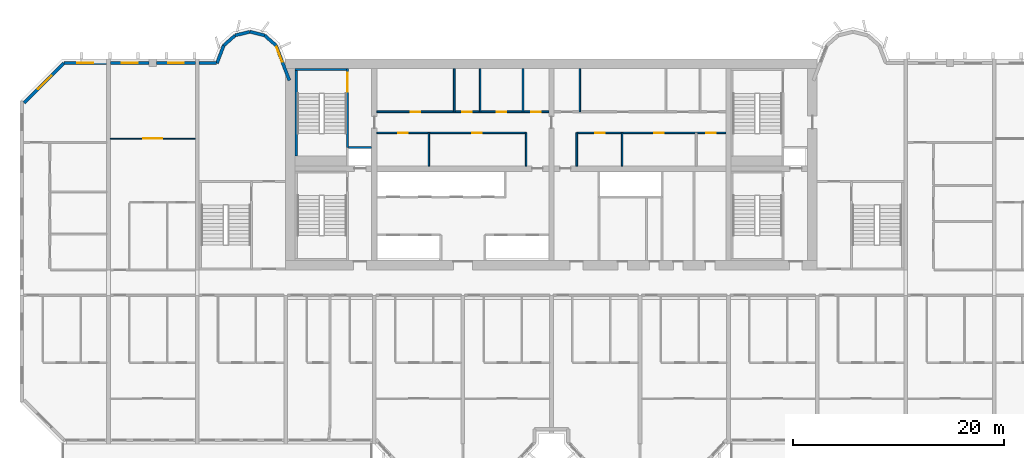
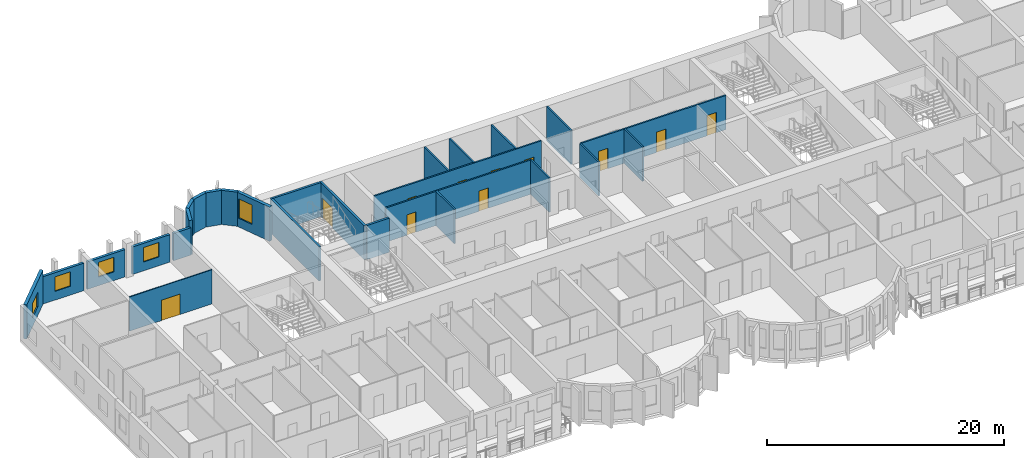
# One storey, part 7 of 15: 27 walls, 11 doors, 5 windows, 16 openings.
"""IFC4 building model written with IfcOpenShell, lengths in metres."""

from ifc_helpers import new_model, si_unit, direction, frame, frame_2d, origin, place, context, subcontext, project, spatial, rectangle, extrude, source, transform, mapped, material, layer, layer_set, type_object, element, fill, save


model = new_model("IFC4")

# Units and contexts
model_context = context("Model", 3, precision=1e-05, world=origin(), true_north=direction((0.0, 1.0)))
body_context = subcontext(model_context, "Body", "Model", "MODEL_VIEW")
ifc_project = project(units=[si_unit("LENGTHUNIT", "METRE"), si_unit("AREAUNIT", "SQUARE_METRE"), si_unit("VOLUMEUNIT", "CUBIC_METRE"), si_unit("PLANEANGLEUNIT", "RADIAN"), si_unit("MASSUNIT", "GRAM", prefix="KILO")], contexts=[model_context])

# Site, building, storey
site_placement = place(None, origin())
site = spatial("IfcSite", under=ifc_project, at=site_placement, CompositionType="ELEMENT")
building_placement = place(site_placement, origin())
building = spatial("IfcBuilding", under=site, at=building_placement, Name="Vanashikhar Sky Hotel", CompositionType="ELEMENT")
storey_placement = place(building_placement, frame((0.0, 0.0, 133.199951171875)))
storey = spatial("IfcBuildingStorey", under=building, at=storey_placement, Name="L32", CompositionType="ELEMENT", Elevation=133.199951171875)

# Wall, opening, window
ifc_material_1 = material(Name="Concrete M50", Category="concrete")
ifc_layer_1 = layer(ifc_material_1, 0.300048828125)
ifc_layer_set_1 = layer_set([ifc_layer_1], Name="Lobe wall 300")
wall_type_1 = type_object("IfcWallType", Name="Lobe wall 300", PredefinedType="SOLIDWALL", material=ifc_layer_set_1)
shared_shape_1 = source(origin(), body_context, "Body", "SweptSolid", [
    extrude(rectangle(XDim=5.32568359375, YDim=0.300048828125, at=frame_2d((2.662841796875, 0.0))), origin(), (0.0, 0.0, 1.0), 3.52001953125),
])
wall_1_placement = place(storey_placement, frame((4.165771484375, 41.60009765625, 0.0), z_axis=(0.0, 0.0, 1.0), x_axis=(-0.707106781187, -0.707106781187, 0.0)))
wall_1 = element("IfcWall", 1, at=wall_1_placement, inside=storey, type_object=wall_type_1, Name="Corner wall", PredefinedType="SOLIDWALL", context=body_context, shape_type="MappedRepresentation", body=[
    mapped(shared_shape_1, transform((0.0, 0.0, 0.0), scale=1.0)),
])
shared_shape_2 = source(origin(), body_context, "Body", "SweptSolid", [
    extrude(rectangle(XDim=1.800048828125, YDim=1.5, at=frame_2d((0.89990234375, 0.75))), frame((0.0, 0.16015625, 0.0), z_axis=(0.0, -1.0, 0.0), x_axis=(1.0, 0.0, 0.0)), (0.0, 0.0, 1.0), 0.320068359375),
])
opening_1_placement = place(wall_1_placement, frame((1.671875, 0.0, 0.89990234375)))
opening_1 = element("IfcOpeningElement", 2, at=opening_1_placement, cuts=wall_1, Name="Opening WN-4", PredefinedType="OPENING", context=body_context, shape_type="MappedRepresentation", body=[
    mapped(shared_shape_2, transform((0.0, 0.0, 0.0), scale=1.0)),
])
ifc_material_2 = material(Name="Glass", Category="glass")
window_type_1 = type_object("IfcWindowType", Name="Corner window 1800 x 1500", PartitioningType="SINGLE_PANEL", PredefinedType="WINDOW", material=ifc_material_2)
shared_shape_3 = source(origin(), body_context, "Body", "SweptSolid", [
    extrude(rectangle(XDim=1.800048828125, YDim=1.5, at=frame_2d((0.89990234375, 0.75))), frame((0.0, 0.030029296875, 0.0), z_axis=(0.0, -1.0, 0.0), x_axis=(1.0, 0.0, 0.0)), (0.0, 0.0, 1.0), 0.06005859375),
])
window_1_placement = place(opening_1_placement, origin())
window_1 = element("IfcWindow", 3, at=window_1_placement, inside=storey, type_object=window_type_1, Name="Window WN-4", OverallHeight=1.5, OverallWidth=1.800048828125, PartitioningType="SINGLE_PANEL", PredefinedType="WINDOW", context=body_context, shape_type="MappedRepresentation", body=[
    mapped(shared_shape_3, transform((0.0, 0.0, 0.0), scale=1.0)),
])
fill(opening_1, window_1)

shared_shape_4 = source(origin(), body_context, "Body", "SweptSolid", [
    extrude(rectangle(XDim=3.55908203125, YDim=0.300048828125, at=frame_2d((1.779541015625, 0.0))), origin(), (0.0, 0.0, 1.0), 3.52001953125),
])
wall_2_placement = place(storey_placement, frame((25.550048828125, 39.968505859375, 0.0), z_axis=(0.0, 0.0, 1.0), x_axis=(-0.35779745313, 0.933799219604, 0.0)))
wall_2 = element("IfcWall", 4, at=wall_2_placement, inside=storey, type_object=wall_type_1, Name="Lobe wall", PredefinedType="SOLIDWALL", context=body_context, shape_type="MappedRepresentation", body=[
    mapped(shared_shape_4, transform((0.0, 0.0, 0.0), scale=1.0)),
])
shared_shape_5 = source(origin(), body_context, "Body", "SweptSolid", [
    extrude(rectangle(XDim=1.5, YDim=2.0, at=frame_2d((0.75, 1.0))), frame((0.0, 0.16015625, 0.0), z_axis=(0.0, -1.0, 0.0), x_axis=(1.0, 0.0, 0.0)), (0.0, 0.0, 1.0), 0.320068359375),
])
opening_2_placement = place(wall_2_placement, frame((1.9033203125, 0.0, 0.89990234375)))
opening_2 = element("IfcOpeningElement", 5, at=opening_2_placement, cuts=wall_2, Name="Opening WN-2", PredefinedType="OPENING", context=body_context, shape_type="MappedRepresentation", body=[
    mapped(shared_shape_5, transform((0.0, 0.0, 0.0), scale=1.0)),
])
window_type_2 = type_object("IfcWindowType", Name="Lobe window 1500 x 2000", PartitioningType="SINGLE_PANEL", PredefinedType="WINDOW", material=ifc_material_2)
shared_shape_6 = source(origin(), body_context, "Body", "SweptSolid", [
    extrude(rectangle(XDim=1.5, YDim=2.0, at=frame_2d((0.75, 1.0))), frame((0.0, 0.030029296875, 0.0), z_axis=(0.0, -1.0, 0.0), x_axis=(1.0, 0.0, 0.0)), (0.0, 0.0, 1.0), 0.06005859375),
])
window_2_placement = place(opening_2_placement, origin())
window_2 = element("IfcWindow", 6, at=window_2_placement, inside=storey, type_object=window_type_2, Name="Window WN-2", OverallHeight=2.0, OverallWidth=1.5, PartitioningType="SINGLE_PANEL", PredefinedType="WINDOW", context=body_context, shape_type="MappedRepresentation", body=[
    mapped(shared_shape_6, transform((0.0, 0.0, 0.0), scale=1.0)),
])
fill(opening_2, window_2)

# Walls
shared_shape_7 = source(origin(), body_context, "Body", "SweptSolid", [
    extrude(rectangle(XDim=1.440185546875, YDim=0.300048828125, at=frame_2d((0.72021484375, 0.0))), origin(), (0.0, 0.0, 1.0), 3.52001953125),
])
wall_3_placement = place(storey_placement, frame((24.276611328125, 43.2919921875, 0.0), z_axis=(0.0, 0.0, 1.0), x_axis=(-0.749649827867, 0.661834673902, 0.0)))
element("IfcWall", 7, at=wall_3_placement, inside=storey, type_object=wall_type_1, Name="Lobe wall", PredefinedType="SOLIDWALL", context=body_context, shape_type="MappedRepresentation", body=[
    mapped(shared_shape_7, transform((0.0, 0.0, 0.0), scale=1.0)),
])
shared_shape_8 = source(origin(), body_context, "Body", "SweptSolid", [
    extrude(rectangle(XDim=1.4384765625, YDim=0.300048828125, at=frame_2d((0.71923828125, 0.0))), origin(), (0.0, 0.0, 1.0), 3.52001953125),
])
wall_4_placement = place(storey_placement, frame((23.197021484375, 44.2451171875, 0.0), z_axis=(0.0, 0.0, 1.0), x_axis=(-0.971152283879, 0.238460146601, 0.0)))
element("IfcWall", 8, at=wall_4_placement, inside=storey, type_object=wall_type_1, Name="Lobe wall", PredefinedType="SOLIDWALL", context=body_context, shape_type="MappedRepresentation", body=[
    mapped(shared_shape_8, transform((0.0, 0.0, 0.0), scale=1.0)),
])
shared_shape_9 = source(origin(), body_context, "Body", "SweptSolid", [
    extrude(rectangle(XDim=1.438720703125, YDim=0.300048828125, at=frame_2d((0.71923828125, 0.0))), origin(), (0.0, 0.0, 1.0), 3.52001953125),
])
wall_5_placement = place(storey_placement, frame((21.800048828125, 44.588134765625, 0.0), z_axis=(0.0, 0.0, 1.0), x_axis=(-0.971161932466, -0.238420848351, 0.0)))
element("IfcWall", 9, at=wall_5_placement, inside=storey, type_object=wall_type_1, Name="Lobe wall", PredefinedType="SOLIDWALL", context=body_context, shape_type="MappedRepresentation", body=[
    mapped(shared_shape_9, transform((0.0, 0.0, 0.0), scale=1.0)),
])
shared_shape_10 = source(origin(), body_context, "Body", "SweptSolid", [
    extrude(rectangle(XDim=1.43994140625, YDim=0.300048828125, at=frame_2d((0.719970703125, 0.0))), origin(), (0.0, 0.0, 1.0), 3.52001953125),
])
wall_6_placement = place(storey_placement, frame((20.40283203125, 44.2451171875, 0.0), z_axis=(0.0, 0.0, 1.0), x_axis=(-0.74957555648, -0.661918790432, 0.0)))
element("IfcWall", 10, at=wall_6_placement, inside=storey, type_object=wall_type_1, Name="Lobe wall", PredefinedType="SOLIDWALL", context=body_context, shape_type="MappedRepresentation", body=[
    mapped(shared_shape_10, transform((0.0, 0.0, 0.0), scale=1.0)),
])
shared_shape_11 = source(origin(), body_context, "Body", "SweptSolid", [
    extrude(rectangle(XDim=1.81201171875, YDim=0.300048828125, at=frame_2d((0.906005859375, 0.0))), origin(), (0.0, 0.0, 1.0), 3.52001953125),
])
wall_7_placement = place(storey_placement, frame((19.323486328125, 43.2919921875, 0.0), z_axis=(0.0, 0.0, 1.0), x_axis=(-0.357877270961, -0.93376863244, 0.0)))
element("IfcWall", 11, at=wall_7_placement, inside=storey, type_object=wall_type_1, Name="Lobe wall", PredefinedType="SOLIDWALL", context=body_context, shape_type="MappedRepresentation", body=[
    mapped(shared_shape_11, transform((0.0, 0.0, 0.0), scale=1.0)),
])

# Wall, opening, window
ifc_layer_2 = layer(ifc_material_1, 0.25)
ifc_layer_set_2 = layer_set([ifc_layer_2], Name="Rear and end board-marked wall 250")
wall_type_2 = type_object("IfcWallType", Name="Rear and end board-marked wall 250", PredefinedType="SOLIDWALL", material=ifc_layer_set_2)
shared_shape_12 = source(origin(), body_context, "Body", "SweptSolid", [
    extrude(rectangle(XDim=4.06982421875, YDim=0.25, at=frame_2d((2.034912109375, 0.0))), origin(), (0.0, 0.0, 1.0), 2.820068359375),
])
wall_8_placement = place(storey_placement, frame((8.22509765625, 41.625, 0.0), z_axis=(0.0, 0.0, 1.0), x_axis=(-1.0, 0.0, 0.0)))
wall_8 = element("IfcWall", 12, at=wall_8_placement, inside=storey, type_object=wall_type_2, Name="Rear board-marked wall", PredefinedType="SOLIDWALL", context=body_context, shape_type="MappedRepresentation", body=[
    mapped(shared_shape_12, transform((0.0, 0.0, 0.0), scale=1.0)),
])
shared_shape_13 = source(origin(), body_context, "Body", "SweptSolid", [
    extrude(rectangle(XDim=1.5, YDim=1.5, at=frame_2d((0.75, 0.75))), frame((0.0, 0.135009765625, 0.0), z_axis=(0.0, -1.0, 0.0), x_axis=(1.0, 0.0, 0.0)), (0.0, 0.0, 1.0), 0.27001953125),
])
opening_3_placement = place(wall_8_placement, frame((1.284912109375, 0.0, 0.89990234375)))
opening_3 = element("IfcOpeningElement", 13, at=opening_3_placement, cuts=wall_8, Name="Opening WN-1", PredefinedType="OPENING", context=body_context, shape_type="MappedRepresentation", body=[
    mapped(shared_shape_13, transform((0.0, 0.0, 0.0), scale=1.0)),
])
window_type_3 = type_object("IfcWindowType", Name="Window 1500 x 1500", PartitioningType="SINGLE_PANEL", PredefinedType="WINDOW", material=ifc_material_2)
shared_shape_14 = source(origin(), body_context, "Body", "SweptSolid", [
    extrude(rectangle(XDim=1.5, YDim=1.5, at=frame_2d((0.75, 0.75))), frame((0.0, 0.030029296875, 0.0), z_axis=(0.0, -1.0, 0.0), x_axis=(1.0, 0.0, 0.0)), (0.0, 0.0, 1.0), 0.06005859375),
])
window_3_placement = place(opening_3_placement, origin())
window_3 = element("IfcWindow", 14, at=window_3_placement, inside=storey, type_object=window_type_3, Name="Window WN-1", OverallHeight=1.5, OverallWidth=1.5, PartitioningType="SINGLE_PANEL", PredefinedType="WINDOW", context=body_context, shape_type="MappedRepresentation", body=[
    mapped(shared_shape_14, transform((0.0, 0.0, 0.0), scale=1.0)),
])
fill(opening_3, window_3)

shared_shape_15 = source(origin(), body_context, "Body", "SweptSolid", [
    extrude(rectangle(XDim=3.675048828125, YDim=0.25, at=frame_2d((1.83740234375, 0.0))), origin(), (0.0, 0.0, 1.0), 2.820068359375),
])
wall_9_placement = place(storey_placement, frame((12.25, 41.625, 0.0), z_axis=(0.0, 0.0, 1.0), x_axis=(-1.0, 0.0, 0.0)))
wall_9 = element("IfcWall", 15, at=wall_9_placement, inside=storey, type_object=wall_type_2, Name="Rear board-marked wall", PredefinedType="SOLIDWALL", context=body_context, shape_type="MappedRepresentation", body=[
    mapped(shared_shape_15, transform((0.0, 0.0, 0.0), scale=1.0)),
])
opening_4_placement = place(wall_9_placement, frame((1.08740234375, 0.0, 0.89990234375)))
opening_4 = element("IfcOpeningElement", 16, at=opening_4_placement, cuts=wall_9, Name="Opening WN-1", PredefinedType="OPENING", context=body_context, shape_type="MappedRepresentation", body=[
    mapped(shared_shape_13, transform((0.0, 0.0, 0.0), scale=1.0)),
])
window_4_placement = place(opening_4_placement, origin())
window_4 = element("IfcWindow", 17, at=window_4_placement, inside=storey, type_object=window_type_3, Name="Window WN-1", OverallHeight=1.5, OverallWidth=1.5, PartitioningType="SINGLE_PANEL", PredefinedType="WINDOW", context=body_context, shape_type="MappedRepresentation", body=[
    mapped(shared_shape_14, transform((0.0, 0.0, 0.0), scale=1.0)),
])
fill(opening_4, window_4)

wall_10_placement = place(storey_placement, frame((16.625, 41.625, 0.0), z_axis=(0.0, 0.0, 1.0), x_axis=(-1.0, 0.0, 0.0)))
wall_10 = element("IfcWall", 18, at=wall_10_placement, inside=storey, type_object=wall_type_2, Name="Rear board-marked wall", PredefinedType="SOLIDWALL", context=body_context, shape_type="MappedRepresentation", body=[
    mapped(shared_shape_15, transform((0.0, 0.0, 0.0), scale=1.0)),
])
opening_5_placement = place(wall_10_placement, frame((1.08740234375, 0.0, 0.89990234375)))
opening_5 = element("IfcOpeningElement", 19, at=opening_5_placement, cuts=wall_10, Name="Opening WN-1", PredefinedType="OPENING", context=body_context, shape_type="MappedRepresentation", body=[
    mapped(shared_shape_13, transform((0.0, 0.0, 0.0), scale=1.0)),
])
window_5_placement = place(opening_5_placement, origin())
window_5 = element("IfcWindow", 20, at=window_5_placement, inside=storey, type_object=window_type_3, Name="Window WN-1", OverallHeight=1.5, OverallWidth=1.5, PartitioningType="SINGLE_PANEL", PredefinedType="WINDOW", context=body_context, shape_type="MappedRepresentation", body=[
    mapped(shared_shape_14, transform((0.0, 0.0, 0.0), scale=1.0)),
])
fill(opening_5, window_5)

# Walls
shared_shape_16 = source(origin(), body_context, "Body", "SweptSolid", [
    extrude(rectangle(XDim=1.682861328125, YDim=0.25, at=frame_2d((0.84130859375, 0.0))), origin(), (0.0, 0.0, 1.0), 2.820068359375),
])
wall_11_placement = place(storey_placement, frame((18.657958984375, 41.625, 0.0), z_axis=(0.0, 0.0, 1.0), x_axis=(-1.0, 0.0, 0.0)))
element("IfcWall", 21, at=wall_11_placement, inside=storey, type_object=wall_type_2, Name="Rear board-marked wall", PredefinedType="SOLIDWALL", context=body_context, shape_type="MappedRepresentation", body=[
    mapped(shared_shape_16, transform((0.0, 0.0, 0.0), scale=1.0)),
])
ifc_material_3 = material(Name="Gypsum board partition")
ifc_layer_3 = layer(ifc_material_3, 0.14990234375)
ifc_layer_set_3 = layer_set([ifc_layer_3], Name="Service partition 150")
wall_type_3 = type_object("IfcWallType", Name="Service partition 150", PredefinedType="PARTITIONING", material=ifc_layer_set_3)
shared_shape_17 = source(origin(), body_context, "Body", "SweptSolid", [
    extrude(rectangle(XDim=3.14990234375, YDim=0.14990234375, at=frame_2d((1.574951171875, 0.0))), origin(), (0.0, 0.0, 1.0), 3.52001953125),
])
for number, where, z_axis, x_axis, name in (
    (22, (48.0, 31.85009765625, 0.0), (0.0, 0.0, 1.0), (0.0, 1.0, 0.0), "Service partition 150"),
    (23, (38.77587890625, 31.85009765625, 0.0), (0.0, 0.0, 1.0), (0.0, 1.0, 0.0), "Service partition 150"),
    (24, (52.800048828125, 31.85009765625, 0.0), (0.0, 0.0, 1.0), (0.0, 1.0, 0.0), "Service partition 150"),
    (25, (57.096923828125, 31.85009765625, 0.0), (0.0, 0.0, 1.0), (0.0, 1.0, 0.0), "Service partition 150"),
):
    element("IfcWall", number, at=place(storey_placement, frame(where, z_axis=z_axis, x_axis=x_axis)), inside=storey, type_object=wall_type_3, Name=name, PredefinedType="PARTITIONING", context=body_context, shape_type="MappedRepresentation", body=[
        mapped(shared_shape_17, transform((0.0, 0.0, 0.0), scale=1.0)),
    ])

# Wall, openings, doors
shared_shape_18 = source(origin(), body_context, "Body", "SweptSolid", [
    extrude(rectangle(XDim=14.14990234375, YDim=0.14990234375, at=frame_2d((7.074951171875, 0.0))), origin(), (0.0, 0.0, 1.0), 3.52001953125),
])
wall_12_placement = place(storey_placement, frame((33.85009765625, 35.0, 0.0), z_axis=(0.0, 0.0, 1.0), x_axis=(1.0, 0.0, 0.0)))
wall_12 = element("IfcWall", 26, at=wall_12_placement, inside=storey, type_object=wall_type_3, Name="Service partition 150", PredefinedType="PARTITIONING", context=body_context, shape_type="MappedRepresentation", body=[
    mapped(shared_shape_18, transform((0.0, 0.0, 0.0), scale=1.0)),
])
shared_shape_19 = source(origin(), body_context, "Body", "SweptSolid", [
    extrude(rectangle(XDim=0.89990234375, YDim=2.10009765625, at=frame_2d((0.449951171875, 1.050048828125))), frame((0.0, 0.0849609375, 0.0), z_axis=(0.0, -1.0, 0.0), x_axis=(1.0, 0.0, 0.0)), (0.0, 0.0, 1.0), 0.169921875),
])
opening_6_placement = place(wall_12_placement, frame((2.012939453125, 0.0, 0.0)))
opening_6 = element("IfcOpeningElement", 27, at=opening_6_placement, cuts=wall_12, Name="Opening DC-4-A", PredefinedType="OPENING", context=body_context, shape_type="MappedRepresentation", body=[
    mapped(shared_shape_19, transform((0.0, 0.0, 0.0), scale=1.0)),
])
opening_7_placement = place(wall_12_placement, frame((9.051025390625, 0.0, 0.0)))
opening_7 = element("IfcOpeningElement", 28, at=opening_7_placement, cuts=wall_12, Name="Opening DC-4-A", PredefinedType="OPENING", context=body_context, shape_type="MappedRepresentation", body=[
    mapped(shared_shape_19, transform((0.0, 0.0, 0.0), scale=1.0)),
])
ifc_material_4 = material(Name="Steel", Category="steel")
door_type_1 = type_object("IfcDoorType", Name="Service door 900 FD60", OperationType="NOTDEFINED", PredefinedType="DOOR", material=ifc_material_4)
shared_shape_20 = source(origin(), body_context, "Body", "SweptSolid", [
    extrude(rectangle(XDim=0.89990234375, YDim=2.10009765625, at=frame_2d((0.449951171875, 1.050048828125))), frame((0.0, 0.02490234375, 0.0), z_axis=(0.0, -1.0, 0.0), x_axis=(1.0, 0.0, 0.0)), (0.0, 0.0, 1.0), 0.050048828125),
])
door_1_placement = place(opening_6_placement, origin())
door_1 = element("IfcDoor", 29, at=door_1_placement, inside=storey, type_object=door_type_1, Name="Service door 900 FD60", OperationType="SINGLE_SWING_RIGHT", OverallHeight=2.10009765625, OverallWidth=0.89990234375, PredefinedType="DOOR", context=body_context, shape_type="MappedRepresentation", body=[
    mapped(shared_shape_20, transform((0.0, 0.0, 0.0), scale=1.0)),
])
fill(opening_6, door_1)
door_2_placement = place(opening_7_placement, origin())
door_2 = element("IfcDoor", 30, at=door_2_placement, inside=storey, type_object=door_type_1, Name="Service door 900 FD60", OperationType="SINGLE_SWING_RIGHT", OverallHeight=2.10009765625, OverallWidth=0.89990234375, PredefinedType="DOOR", context=body_context, shape_type="MappedRepresentation", body=[
    mapped(shared_shape_20, transform((0.0, 0.0, 0.0), scale=1.0)),
])
fill(opening_7, door_2)

wall_13_placement = place(storey_placement, frame((66.949951171875, 35.0, 0.0), z_axis=(0.0, 0.0, 1.0), x_axis=(-1.0, 0.0, 0.0)))
wall_13 = element("IfcWall", 31, at=wall_13_placement, inside=storey, type_object=wall_type_3, Name="Service partition 150", PredefinedType="PARTITIONING", context=body_context, shape_type="MappedRepresentation", body=[
    mapped(shared_shape_18, transform((0.0, 0.0, 0.0), scale=1.0)),
])
opening_8_placement = place(wall_13_placement, frame((0.9580078125, 0.0, 0.0)))
opening_8 = element("IfcOpeningElement", 32, at=opening_8_placement, cuts=wall_13, Name="Opening DC-4-A", PredefinedType="OPENING", context=body_context, shape_type="MappedRepresentation", body=[
    mapped(shared_shape_19, transform((0.0, 0.0, 0.0), scale=1.0)),
])
opening_9_placement = place(wall_13_placement, frame((5.884033203125, 0.0, 0.0)))
opening_9 = element("IfcOpeningElement", 33, at=opening_9_placement, cuts=wall_13, Name="Opening DC-4-A", PredefinedType="OPENING", context=body_context, shape_type="MappedRepresentation", body=[
    mapped(shared_shape_19, transform((0.0, 0.0, 0.0), scale=1.0)),
])
opening_10_placement = place(wall_13_placement, frame((11.513916015625, 0.0, 0.0)))
opening_10 = element("IfcOpeningElement", 34, at=opening_10_placement, cuts=wall_13, Name="Opening DC-4-A", PredefinedType="OPENING", context=body_context, shape_type="MappedRepresentation", body=[
    mapped(shared_shape_19, transform((0.0, 0.0, 0.0), scale=1.0)),
])
door_3_placement = place(opening_8_placement, origin())
door_3 = element("IfcDoor", 35, at=door_3_placement, inside=storey, type_object=door_type_1, Name="Service door 900 FD60", OperationType="SINGLE_SWING_RIGHT", OverallHeight=2.10009765625, OverallWidth=0.89990234375, PredefinedType="DOOR", context=body_context, shape_type="MappedRepresentation", body=[
    mapped(shared_shape_20, transform((0.0, 0.0, 0.0), scale=1.0)),
])
fill(opening_8, door_3)
door_4_placement = place(opening_9_placement, origin())
door_4 = element("IfcDoor", 36, at=door_4_placement, inside=storey, type_object=door_type_1, Name="Service door 900 FD60", OperationType="SINGLE_SWING_RIGHT", OverallHeight=2.10009765625, OverallWidth=0.89990234375, PredefinedType="DOOR", context=body_context, shape_type="MappedRepresentation", body=[
    mapped(shared_shape_20, transform((0.0, 0.0, 0.0), scale=1.0)),
])
fill(opening_9, door_4)
door_5_placement = place(opening_10_placement, origin())
door_5 = element("IfcDoor", 37, at=door_5_placement, inside=storey, type_object=door_type_1, Name="Service door 900 FD60", OperationType="SINGLE_SWING_LEFT", OverallHeight=2.10009765625, OverallWidth=0.89990234375, PredefinedType="DOOR", context=body_context, shape_type="MappedRepresentation", body=[
    mapped(shared_shape_20, transform((0.0, 0.0, 0.0), scale=1.0)),
])
fill(opening_10, door_5)

shared_shape_21 = source(origin(), body_context, "Body", "SweptSolid", [
    extrude(rectangle(XDim=16.2998046875, YDim=0.14990234375, at=frame_2d((8.14990234375, 0.0))), origin(), (0.0, 0.0, 1.0), 3.52001953125),
])
wall_14_placement = place(storey_placement, frame((33.85009765625, 37.0, 0.0), z_axis=(0.0, 0.0, 1.0), x_axis=(1.0, 0.0, 0.0)))
wall_14 = element("IfcWall", 38, at=wall_14_placement, inside=storey, type_object=wall_type_3, Name="Service partition 150", PredefinedType="PARTITIONING", context=body_context, shape_type="MappedRepresentation", body=[
    mapped(shared_shape_21, transform((0.0, 0.0, 0.0), scale=1.0)),
])
opening_11_placement = place(wall_14_placement, frame((3.217041015625, 0.0, 0.0)))
opening_11 = element("IfcOpeningElement", 39, at=opening_11_placement, cuts=wall_14, Name="Opening DC-4-A", PredefinedType="OPENING", context=body_context, shape_type="MappedRepresentation", body=[
    mapped(shared_shape_19, transform((0.0, 0.0, 0.0), scale=1.0)),
])
opening_12_placement = place(wall_14_placement, frame((8.10693359375, 0.0, 0.0)))
opening_12 = element("IfcOpeningElement", 40, at=opening_12_placement, cuts=wall_14, Name="Opening DC-4-A", PredefinedType="OPENING", context=body_context, shape_type="MappedRepresentation", body=[
    mapped(shared_shape_19, transform((0.0, 0.0, 0.0), scale=1.0)),
])
opening_13_placement = place(wall_14_placement, frame((11.367919921875, 0.0, 0.0)))
opening_13 = element("IfcOpeningElement", 41, at=opening_13_placement, cuts=wall_14, Name="Opening DC-4-A", PredefinedType="OPENING", context=body_context, shape_type="MappedRepresentation", body=[
    mapped(shared_shape_19, transform((0.0, 0.0, 0.0), scale=1.0)),
])
opening_14_placement = place(wall_14_placement, frame((14.626953125, 0.0, 0.0)))
opening_14 = element("IfcOpeningElement", 42, at=opening_14_placement, cuts=wall_14, Name="Opening DC-4-A", PredefinedType="OPENING", context=body_context, shape_type="MappedRepresentation", body=[
    mapped(shared_shape_19, transform((0.0, 0.0, 0.0), scale=1.0)),
])
door_6_placement = place(opening_11_placement, origin())
door_6 = element("IfcDoor", 43, at=door_6_placement, inside=storey, type_object=door_type_1, Name="Service door 900 FD60", OperationType="SINGLE_SWING_RIGHT", OverallHeight=2.10009765625, OverallWidth=0.89990234375, PredefinedType="DOOR", context=body_context, shape_type="MappedRepresentation", body=[
    mapped(shared_shape_20, transform((0.0, 0.0, 0.0), scale=1.0)),
])
fill(opening_11, door_6)
door_7_placement = place(opening_12_placement, origin())
door_7 = element("IfcDoor", 44, at=door_7_placement, inside=storey, type_object=door_type_1, Name="Service door 900 FD60", OperationType="SINGLE_SWING_RIGHT", OverallHeight=2.10009765625, OverallWidth=0.89990234375, PredefinedType="DOOR", context=body_context, shape_type="MappedRepresentation", body=[
    mapped(shared_shape_20, transform((0.0, 0.0, 0.0), scale=1.0)),
])
fill(opening_12, door_7)
door_8_placement = place(opening_13_placement, origin())
door_8 = element("IfcDoor", 45, at=door_8_placement, inside=storey, type_object=door_type_1, Name="Service door 900 FD60", OperationType="SINGLE_SWING_RIGHT", OverallHeight=2.10009765625, OverallWidth=0.89990234375, PredefinedType="DOOR", context=body_context, shape_type="MappedRepresentation", body=[
    mapped(shared_shape_20, transform((0.0, 0.0, 0.0), scale=1.0)),
])
fill(opening_13, door_8)
door_9_placement = place(opening_14_placement, origin())
door_9 = element("IfcDoor", 46, at=door_9_placement, inside=storey, type_object=door_type_1, Name="Service door 900 FD60", OperationType="SINGLE_SWING_LEFT", OverallHeight=2.10009765625, OverallWidth=0.89990234375, PredefinedType="DOOR", context=body_context, shape_type="MappedRepresentation", body=[
    mapped(shared_shape_20, transform((0.0, 0.0, 0.0), scale=1.0)),
])
fill(opening_14, door_9)

# Walls
shared_shape_22 = source(origin(), body_context, "Body", "SweptSolid", [
    extrude(rectangle(XDim=4.10009765625, YDim=0.14990234375, at=frame_2d((2.050048828125, 0.0))), origin(), (0.0, 0.0, 1.0), 3.52001953125),
])
for number, where, z_axis, x_axis, name in (
    (47, (41.18505859375, 37.0, 0.0), (0.0, 0.0, 1.0), (0.0, 1.0, 0.0), "Service partition 150"),
    (48, (43.6298828125, 37.0, 0.0), (0.0, 0.0, 1.0), (0.0, 1.0, 0.0), "Service partition 150"),
    (49, (47.705078125, 37.0, 0.0), (0.0, 0.0, 1.0), (0.0, 1.0, 0.0), "Service partition 150"),
    (50, (53.094970703125, 37.0, 0.0), (0.0, 0.0, 1.0), (0.0, 1.0, 0.0), "Service partition 150"),
):
    element("IfcWall", number, at=place(storey_placement, frame(where, z_axis=z_axis, x_axis=x_axis)), inside=storey, type_object=wall_type_3, Name=name, PredefinedType="PARTITIONING", context=body_context, shape_type="MappedRepresentation", body=[
        mapped(shared_shape_22, transform((0.0, 0.0, 0.0), scale=1.0)),
    ])
ifc_material_5 = material(Name="Concrete M40", Category="concrete")
ifc_layer_4 = layer(ifc_material_5, 0.199951171875)
ifc_layer_set_4 = layer_set([ifc_layer_4], Name="Shaft wall 200")
wall_type_4 = type_object("IfcWallType", Name="Shaft wall 200", PredefinedType="SOLIDWALL", material=ifc_layer_set_4)
shared_shape_23 = source(origin(), body_context, "Body", "SweptSolid", [
    extrude(rectangle(XDim=2.2001953125, YDim=0.199951171875, at=frame_2d((1.10009765625, 0.0))), origin(), (0.0, 0.0, 1.0), 3.52001953125),
])
wall_15_placement = place(storey_placement, frame((31.14990234375, 33.60009765625, 0.0), z_axis=(0.0, 0.0, 1.0), x_axis=(1.0, 0.0, 0.0)))
element("IfcWall", 51, at=wall_15_placement, inside=storey, type_object=wall_type_4, Name="Shaft wall 200", PredefinedType="SOLIDWALL", context=body_context, shape_type="MappedRepresentation", body=[
    mapped(shared_shape_23, transform((0.0, 0.0, 0.0), scale=1.0)),
])

# Wall, opening, door
ifc_layer_5 = layer(ifc_material_1, 0.199951171875)
ifc_layer_set_5 = layer_set([ifc_layer_5], Name="Stair wall 200")
wall_type_5 = type_object("IfcWallType", Name="Stair wall 200", PredefinedType="SOLIDWALL", material=ifc_layer_set_5)
shared_shape_24 = source(origin(), body_context, "Body", "SweptSolid", [
    extrude(rectangle(XDim=7.5, YDim=0.199951171875, at=frame_2d((3.75, 0.0))), origin(), (0.0, 0.0, 1.0), 3.52001953125),
])
wall_16_placement = place(storey_placement, frame((31.050048828125, 33.60009765625, 0.0), z_axis=(0.0, 0.0, 1.0), x_axis=(0.0, 1.0, 0.0)))
wall_16 = element("IfcWall", 52, at=wall_16_placement, inside=storey, type_object=wall_type_5, Name="Stair wall 200", PredefinedType="SOLIDWALL", context=body_context, shape_type="MappedRepresentation", body=[
    mapped(shared_shape_24, transform((0.0, 0.0, 0.0), scale=1.0)),
])
shared_shape_25 = source(origin(), body_context, "Body", "SweptSolid", [
    extrude(rectangle(XDim=1.800048828125, YDim=2.10009765625, at=frame_2d((0.89990234375, 1.050048828125))), frame((0.0, 0.10986328125, 0.0), z_axis=(0.0, -1.0, 0.0), x_axis=(1.0, 0.0, 0.0)), (0.0, 0.0, 1.0), 0.219970703125),
])
opening_15_placement = place(wall_16_placement, frame((5.300048828125, 0.0, 0.0)))
opening_15 = element("IfcOpeningElement", 53, at=opening_15_placement, cuts=wall_16, Name="Opening DC-1-A", PredefinedType="OPENING", context=body_context, shape_type="MappedRepresentation", body=[
    mapped(shared_shape_25, transform((0.0, 0.0, 0.0), scale=1.0)),
])
door_type_2 = type_object("IfcDoorType", Name="Stair door 1800 FD120", OperationType="NOTDEFINED", PredefinedType="DOOR", material=ifc_material_4)
shared_shape_26 = source(origin(), body_context, "Body", "SweptSolid", [
    extrude(rectangle(XDim=1.800048828125, YDim=2.10009765625, at=frame_2d((0.89990234375, 1.050048828125))), frame((0.0, 0.02490234375, 0.0), z_axis=(0.0, -1.0, 0.0), x_axis=(1.0, 0.0, 0.0)), (0.0, 0.0, 1.0), 0.050048828125),
])
door_10_placement = place(opening_15_placement, origin())
door_10 = element("IfcDoor", 54, at=door_10_placement, inside=storey, type_object=door_type_2, Name="Stair door 1800 FD120", OperationType="SINGLE_SWING_LEFT", OverallHeight=2.10009765625, OverallWidth=1.800048828125, PredefinedType="DOOR", context=body_context, shape_type="MappedRepresentation", body=[
    mapped(shared_shape_26, transform((0.0, 0.0, 0.0), scale=1.0)),
])
fill(opening_15, door_10)

# Walls
ifc_layer_6 = layer(ifc_material_1, 0.199951171875)
ifc_layer_set_6 = layer_set([ifc_layer_6], Name="Stair infill wall 200")
wall_type_6 = type_object("IfcWallType", Name="Stair infill wall 200", PredefinedType="SOLIDWALL", material=ifc_layer_set_6)
shared_shape_27 = source(origin(), body_context, "Body", "SweptSolid", [
    extrude(rectangle(XDim=4.849853515625, YDim=0.199951171875, at=frame_2d((2.4248046875, 0.0))), origin(), (0.0, 0.0, 1.0), 3.52001953125),
])
wall_17_placement = place(storey_placement, frame((26.10009765625, 41.0, 0.0), z_axis=(0.0, 0.0, 1.0), x_axis=(1.0, 0.0, 0.0)))
element("IfcWall", 55, at=wall_17_placement, inside=storey, type_object=wall_type_6, Name="Stair infill wall 200", PredefinedType="SOLIDWALL", context=body_context, shape_type="MappedRepresentation", body=[
    mapped(shared_shape_27, transform((0.0, 0.0, 0.0), scale=1.0)),
])
shared_shape_28 = source(origin(), body_context, "Body", "SweptSolid", [
    extrude(rectangle(XDim=8.099853515625, YDim=0.199951171875, at=frame_2d((4.0498046875, 0.0))), origin(), (0.0, 0.0, 1.0), 3.52001953125),
])
wall_18_placement = place(storey_placement, frame((26.199951171875, 32.800048828125, 0.0), z_axis=(0.0, 0.0, 1.0), x_axis=(0.0, 1.0, 0.0)))
element("IfcWall", 56, at=wall_18_placement, inside=storey, type_object=wall_type_6, Name="Stair infill wall 200", PredefinedType="SOLIDWALL", context=body_context, shape_type="MappedRepresentation", body=[
    mapped(shared_shape_28, transform((0.0, 0.0, 0.0), scale=1.0)),
])

# Wall, opening, door
ifc_material_6 = material(Name="Gypsum plasterboard partition")
ifc_layer_7 = layer(ifc_material_6, 0.10009765625)
ifc_layer_set_7 = layer_set([ifc_layer_7], Name="Wet room partition 100")
wall_type_7 = type_object("IfcWallType", Name="Wet room partition 100", PredefinedType="PARTITIONING", material=ifc_layer_set_7)
shared_shape_29 = source(origin(), body_context, "Body", "SweptSolid", [
    extrude(rectangle(XDim=8.050048828125, YDim=0.10009765625, at=frame_2d((4.02490234375, 0.0))), origin(), (0.0, 0.0, 1.0), 3.52001953125),
])
wall_19_placement = place(storey_placement, frame((8.574951171875, 34.452880859375, 0.0), z_axis=(0.0, 0.0, 1.0), x_axis=(1.0, 0.0, 0.0)))
wall_19 = element("IfcWall", 57, at=wall_19_placement, inside=storey, type_object=wall_type_7, Name="W-L32-PW083", PredefinedType="PARTITIONING", context=body_context, shape_type="MappedRepresentation", body=[
    mapped(shared_shape_29, transform((0.0, 0.0, 0.0), scale=1.0)),
])
shared_shape_30 = source(origin(), body_context, "Body", "SweptSolid", [
    extrude(rectangle(XDim=1.800048828125, YDim=2.10009765625, at=frame_2d((0.89990234375, 1.050048828125))), frame((0.0, 0.06005859375, 0.0), z_axis=(0.0, -1.0, 0.0), x_axis=(1.0, 0.0, 0.0)), (0.0, 0.0, 1.0), 0.1201171875),
])
opening_16_placement = place(wall_19_placement, frame((3.125, 0.0, 0.0)))
opening_16 = element("IfcOpeningElement", 58, at=opening_16_placement, cuts=wall_19, Name="Opening D-08", PredefinedType="OPENING", context=body_context, shape_type="MappedRepresentation", body=[
    mapped(shared_shape_30, transform((0.0, 0.0, 0.0), scale=1.0)),
])
ifc_material_7 = material(Name="Timber door", Category="wood")
door_type_3 = type_object("IfcDoorType", Name="Double leaf door 1800", OperationType="NOTDEFINED", PredefinedType="DOOR", material=ifc_material_7)
door_11_placement = place(opening_16_placement, origin())
door_11 = element("IfcDoor", 59, at=door_11_placement, inside=storey, type_object=door_type_3, Name="D-L32-051", OperationType="DOUBLE_DOOR_SINGLE_SWING", OverallHeight=2.10009765625, OverallWidth=1.800048828125, PredefinedType="DOOR", context=body_context, shape_type="MappedRepresentation", body=[
    mapped(shared_shape_26, transform((0.0, 0.0, 0.0), scale=1.0)),
])
fill(opening_16, door_11)

save(model, "model.ifc")
